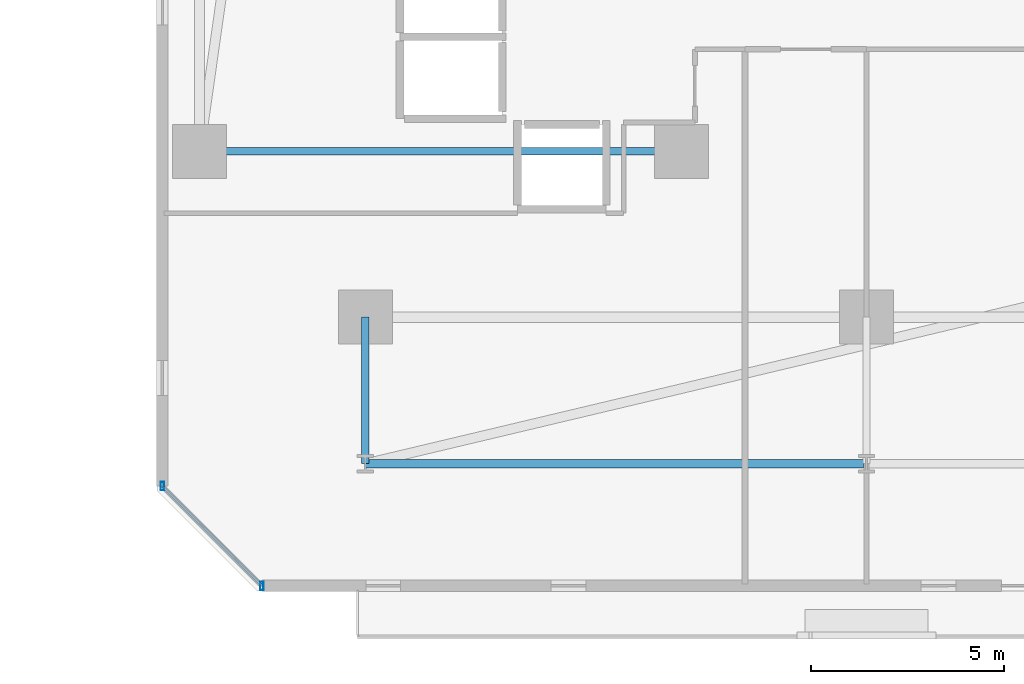
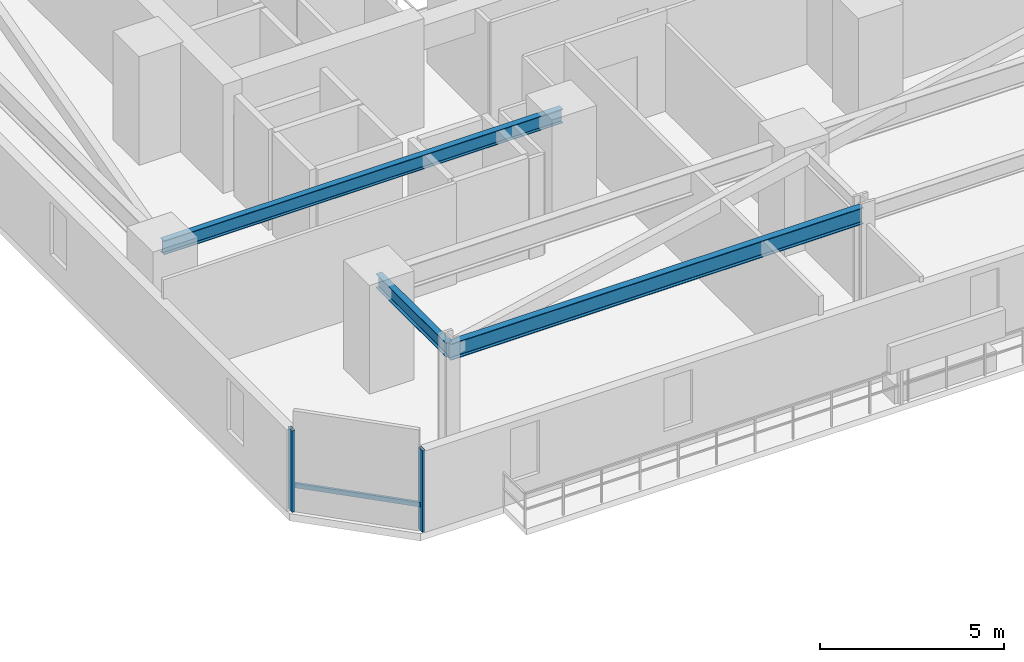
# One storey, part 10 of 33: 3 beams, 3 members, 1 element without a shape of its own.
"""IFC4 building model written with IfcOpenShell, lengths in metres."""

from ifc_helpers import new_model, si_unit, direction, frame, origin, origin_2d, place, context, subcontext, project, spatial, hollow_rectangle, i_section, extrude, material, material_profile, profile_set, type_object, element, aggregate, save


model = new_model("IFC4")

# Units and contexts
model_context = context("Model", 3, precision=1e-05, world=origin(), true_north=direction((0.0, 1.0)))
body_context = subcontext(model_context, "Body", "Model", "MODEL_VIEW")
ifc_project = project(units=[si_unit("LENGTHUNIT", "METRE"), si_unit("AREAUNIT", "SQUARE_METRE"), si_unit("VOLUMEUNIT", "CUBIC_METRE"), si_unit("PLANEANGLEUNIT", "RADIAN"), si_unit("MASSUNIT", "GRAM", prefix="KILO")], contexts=[model_context])

# Site, building, storey
site_placement = place(None, origin())
site = spatial("IfcSite", under=ifc_project, at=site_placement, CompositionType="ELEMENT")
building_placement = place(site_placement, origin())
building = spatial("IfcBuilding", under=site, at=building_placement, Name="Thornwick Lancets Civic Towers", CompositionType="ELEMENT")
storey_placement = place(building_placement, frame((0.0, 0.0, 38.699951171875)))
storey = spatial("IfcBuildingStorey", under=building, at=storey_placement, Name="L09", CompositionType="ELEMENT", Elevation=38.699951171875)

# Beams
ifc_material_1 = material(Name="Steel S355JR", Category="steel")
ifc_material_profile_1 = material_profile(ifc_material_1, i_section(OverallWidth=0.2119140625, OverallDepth=0.54443359375, WebThickness=0.0126953125, FlangeThickness=0.021240234375, FilletRadius=0.0126953125, at=origin_2d()), Name="UKB 533x210x122")
ifc_profile_set_1 = profile_set([ifc_material_profile_1], Name="Steel S355JR")
beam_type_1 = type_object("IfcBeamType", Name="BM_EDGE_533_122", PredefinedType="SPANDREL", material=ifc_profile_set_1)
beam_1_placement = place(storey_placement, frame((88.419921875, 5.89990234375, 3.087890625), z_axis=(-1.0, 0.0, 0.0), x_axis=(0.0, -1.0, 0.0)))
element("IfcBeam", 1, at=beam_1_placement, inside=storey, type_object=beam_type_1, Name="BM-EDGE-L09-B-S3-2", PredefinedType="SPANDREL", context=body_context, shape_type="SweptSolid", body=[
    extrude(i_section(OverallWidth=0.2119140625, OverallDepth=0.54443359375, WebThickness=0.0126953125, FlangeThickness=0.021240234375, FilletRadius=0.0126953125, at=origin_2d()), origin(), (0.0, 0.0, 1.0), 12.919921875),
])
ifc_material_profile_2 = material_profile(ifc_material_1, i_section(OverallWidth=0.19189453125, OverallDepth=0.46337890625, WebThickness=0.010498046875, FlangeThickness=0.017578125, FilletRadius=0.01025390625, at=origin_2d()), Name="UKB 457x191x89")
ifc_profile_set_2 = profile_set([ifc_material_profile_2], Name="Steel S355JR")
beam_type_2 = type_object("IfcBeamType", Name="BM_JOIST_457_89", PredefinedType="JOIST", material=ifc_profile_set_2)
beam_2_placement = place(storey_placement, frame((83.699951171875, 14.0, 3.12841796875), z_axis=(-1.0, 0.0, 0.0), x_axis=(0.0, -1.0, 0.0)))
element("IfcBeam", 2, at=beam_2_placement, inside=storey, type_object=beam_type_2, Name="BM-RADIN-L09-B07", PredefinedType="JOIST", context=body_context, shape_type="SweptSolid", body=[
    extrude(i_section(OverallWidth=0.19189453125, OverallDepth=0.46337890625, WebThickness=0.010498046875, FlangeThickness=0.017578125, FilletRadius=0.01025390625, at=origin_2d()), origin(), (0.0, 0.0, 1.0), 12.5),
])
beam_3_placement = place(storey_placement, frame((75.5, 9.699951171875, 3.12841796875), z_axis=(0.0, -1.0, 0.0), x_axis=(1.0, 0.0, 0.0)))
element("IfcBeam", 3, at=beam_3_placement, inside=storey, type_object=beam_type_2, Name="BM-RAD-L09-B12", PredefinedType="JOIST", context=body_context, shape_type="SweptSolid", body=[
    extrude(i_section(OverallWidth=0.19189453125, OverallDepth=0.46337890625, WebThickness=0.010498046875, FlangeThickness=0.017578125, FilletRadius=0.01025390625, at=origin_2d()), origin(), (0.0, 0.0, 1.0), 3.800048828125),
])

# Curtain wall, members
ifc_material_2 = material(Name="Low-zone chamfered-corner unitised glass curtain wall", Category="glass")
curtain_wall_type = type_object("IfcCurtainWallType", Name="CW_SYS_03", PredefinedType="NOTDEFINED", material=ifc_material_2)
curtain_wall_placement = place(storey_placement, origin())
curtain_wall = element("IfcCurtainWall", 4, at=curtain_wall_placement, inside=storey, type_object=curtain_wall_type, Name="L09 Curtain Wall CW-L09-B-E7", PredefinedType="NOTDEFINED")
ifc_material_3 = material(Name="Thermally broken bronze aluminium S355", Category="steel")
ifc_material_profile_3 = material_profile(ifc_material_3, hollow_rectangle(XDim=0.090087890625, YDim=0.219970703125, WallThickness=0.00634765625, at=origin_2d()), Name="RHS 220x90x6.3")
ifc_profile_set_3 = profile_set([ifc_material_profile_3], Name="Thermally broken bronze aluminium S355")
member_type_1 = type_object("IfcMemberType", Name="CW_MUL_220", PredefinedType="MULLION", material=ifc_profile_set_3)
member_1_placement = place(storey_placement, frame((70.235107421875, 5.31884765625, 0.0), z_axis=(0.0, 0.0, 1.0), x_axis=(1.0, 0.0, 0.0)))
member_1 = element("IfcMember", 5, at=member_1_placement, type_object=member_type_1, Name="CW-L09-B-E7 Mullion 0", PredefinedType="MULLION", context=body_context, shape_type="SweptSolid", body=[
    extrude(hollow_rectangle(XDim=0.090087890625, YDim=0.219970703125, WallThickness=0.00634765625, at=origin_2d()), origin(), (0.0, 0.0, 1.0), 2.699951171875),
])
member_2_placement = place(storey_placement, frame((72.81884765625, 2.735107421875, 0.0), z_axis=(0.0, 0.0, 1.0), x_axis=(1.0, 0.0, 0.0)))
member_2 = element("IfcMember", 6, at=member_2_placement, type_object=member_type_1, Name="CW-L09-B-E7 Mullion 1", PredefinedType="MULLION", context=body_context, shape_type="SweptSolid", body=[
    extrude(hollow_rectangle(XDim=0.090087890625, YDim=0.219970703125, WallThickness=0.00634765625, at=origin_2d()), origin(), (0.0, 0.0, 1.0), 2.699951171875),
])
ifc_material_profile_4 = material_profile(ifc_material_3, hollow_rectangle(XDim=0.074951171875, YDim=0.14990234375, WallThickness=0.0048828125, at=origin_2d()), Name="RHS 150x75x5")
ifc_profile_set_4 = profile_set([ifc_material_profile_4], Name="Thermally broken bronze aluminium S355")
member_type_2 = type_object("IfcMemberType", Name="CW_TRN_150", PredefinedType="USERDEFINED", material=ifc_profile_set_4)
member_3_placement = place(storey_placement, frame((70.249267578125, 5.3046875, 0.85009765625), z_axis=(0.707106781187, -0.707106781187, 0.0), x_axis=(0.707106781187, 0.707106781187, 0.0)))
member_3 = element("IfcMember", 7, at=member_3_placement, type_object=member_type_2, Name="CW-L09-B-E7 Transom 0", ObjectType="TRANSOM", PredefinedType="USERDEFINED", context=body_context, shape_type="SweptSolid", body=[
    extrude(hollow_rectangle(XDim=0.074951171875, YDim=0.14990234375, WallThickness=0.0048828125, at=origin_2d()), origin(), (0.0, 0.0, 1.0), 3.614013671875),
])
aggregate(curtain_wall, [member_1, member_2, member_3])

save(model, "model.ifc")
